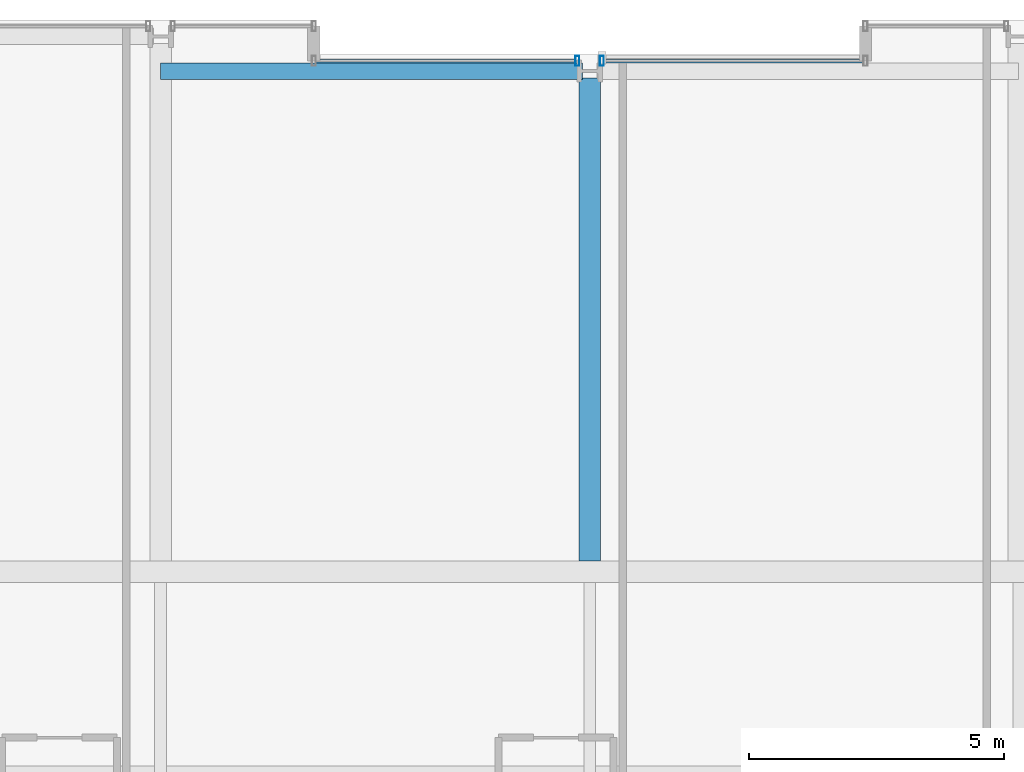
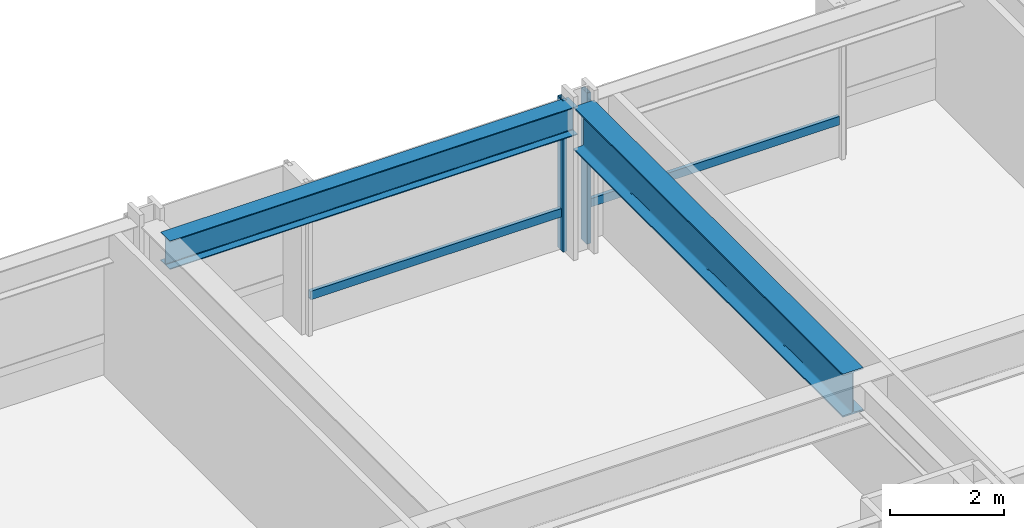
# One storey, part 23 of 37: 4 members, 2 beams, 2 elements without a shape of their own.
"""IFC4 building model written with IfcOpenShell, lengths in metres."""

from ifc_helpers import new_model, si_unit, direction, frame, origin, origin_2d, place, context, subcontext, project, spatial, hollow_rectangle, i_section, extrude, material, layer, layer_set, material_profile, profile_set, type_object, element, aggregate, save


model = new_model("IFC4")

# Units and contexts
model_context = context("Model", 3, precision=1e-05, world=origin(), true_north=direction((0.0, 1.0)))
body_context = subcontext(model_context, "Body", "Model", "MODEL_VIEW")
ifc_project = project(units=[si_unit("LENGTHUNIT", "METRE"), si_unit("AREAUNIT", "SQUARE_METRE"), si_unit("VOLUMEUNIT", "CUBIC_METRE"), si_unit("PLANEANGLEUNIT", "RADIAN"), si_unit("MASSUNIT", "GRAM", prefix="KILO")], contexts=[model_context])

# Site, building, storey
site_placement = place(None, origin())
site = spatial("IfcSite", under=ifc_project, at=site_placement, CompositionType="ELEMENT")
building_placement = place(site_placement, origin())
building = spatial("IfcBuilding", under=site, at=building_placement, Name="Drelvath Grand Hotel", CompositionType="ELEMENT")
storey_placement = place(building_placement, frame((0.0, 0.0, 43.699951171875)))
storey = spatial("IfcBuildingStorey", under=building, at=storey_placement, Name="L09", CompositionType="ELEMENT", Elevation=43.699951171875)

# Curtain wall, member
ifc_material_1 = material(Name="Warm Bronze Anodised Aluminium Frame", Category="aluminium")
ifc_layer = layer(ifc_material_1, 0.199951171875)
ifc_layer_set = layer_set([ifc_layer], Name="Warm Bronze Anodised Aluminium Frame")
curtain_wall_type = type_object("IfcCurtainWallType", Name="Stick Curtain Wall CW-02 Warm Bronze Low-Rise", PredefinedType="NOTDEFINED", material=ifc_layer_set)
curtain_wall_1_placement = place(storey_placement, origin())
curtain_wall_1 = element("IfcCurtainWall", 1, at=curtain_wall_1_placement, inside=storey, type_object=curtain_wall_type, Name="L09 CW-02 Curtain Wall CW02-L09-NM1", PredefinedType="NOTDEFINED")
ifc_material_profile_1 = material_profile(ifc_material_1, hollow_rectangle(XDim=0.074951171875, YDim=0.179931640625, WallThickness=0.0048828125, at=origin_2d()), Name="HSS180X75X5")
ifc_profile_set_1 = profile_set([ifc_material_profile_1], Name="Warm Bronze Anodised Aluminium Frame")
member_type_1 = type_object("IfcMemberType", Name="Curtain Wall Horizontal Transom CW-02 HSS180X75X5", PredefinedType="USERDEFINED", material=ifc_profile_set_1)
member_1_placement = place(storey_placement, frame((-5.360107421875, 53.199951171875, 0.81005859375), z_axis=(1.0, 0.0, 0.0), x_axis=(0.0, 1.0, 0.0)))
member_1 = element("IfcMember", 2, at=member_1_placement, type_object=member_type_1, Name="CW02-L09-NM1 Sill Transom", ObjectType="TRANSOM", PredefinedType="USERDEFINED", context=body_context, shape_type="SweptSolid", body=[
    extrude(hollow_rectangle(XDim=0.074951171875, YDim=0.179931640625, WallThickness=0.0048828125, at=origin_2d()), origin(), (0.0, 0.0, 1.0), 5.0791015625),
])

curtain_wall_2_placement = place(storey_placement, origin())
curtain_wall_2 = element("IfcCurtainWall", 3, at=curtain_wall_2_placement, inside=storey, type_object=curtain_wall_type, Name="L09 CW-02 Curtain Wall CW02-L09-NM2", PredefinedType="NOTDEFINED")
member_2_placement = place(storey_placement, frame((0.281005859375, 53.199951171875, 0.81005859375), z_axis=(1.0, 0.0, 0.0), x_axis=(0.0, 1.0, 0.0)))
member_2 = element("IfcMember", 4, at=member_2_placement, type_object=member_type_1, Name="CW02-L09-NM2 Sill Transom", ObjectType="TRANSOM", PredefinedType="USERDEFINED", context=body_context, shape_type="SweptSolid", body=[
    extrude(hollow_rectangle(XDim=0.074951171875, YDim=0.179931640625, WallThickness=0.0048828125, at=origin_2d()), origin(), (0.0, 0.0, 1.0), 5.0791015625),
])

# Member
ifc_material_profile_2 = material_profile(ifc_material_1, hollow_rectangle(XDim=0.080078125, YDim=0.199951171875, WallThickness=0.0048828125, at=origin_2d()), Name="HSS200X80X5")
ifc_profile_set_2 = profile_set([ifc_material_profile_2], Name="Warm Bronze Anodised Aluminium Frame")
member_type_2 = type_object("IfcMemberType", Name="Curtain Wall Vertical Mullion CW-02 HSS200X80X5", PredefinedType="MULLION", material=ifc_profile_set_2)
member_3_placement = place(storey_placement, frame((-0.240966796875, 53.199951171875, 0.0), z_axis=(0.0, 0.0, 1.0), x_axis=(1.0, 0.0, 0.0)))
member_3 = element("IfcMember", 5, at=member_3_placement, type_object=member_type_2, Name="CW02-L09-NM1 Mullion 2", PredefinedType="MULLION", context=body_context, shape_type="SweptSolid", body=[
    extrude(hollow_rectangle(XDim=0.080078125, YDim=0.199951171875, WallThickness=0.0048828125, at=origin_2d()), origin(), (0.0, 0.0, 1.0), 3.239990234375),
])

aggregate(curtain_wall_1, [member_3, member_1])

member_4_placement = place(storey_placement, frame((0.240966796875, 53.199951171875, 0.0), z_axis=(0.0, 0.0, 1.0), x_axis=(1.0, 0.0, 0.0)))
member_4 = element("IfcMember", 6, at=member_4_placement, type_object=member_type_2, Name="CW02-L09-NM2 Mullion 1", PredefinedType="MULLION", context=body_context, shape_type="SweptSolid", body=[
    extrude(hollow_rectangle(XDim=0.080078125, YDim=0.199951171875, WallThickness=0.0048828125, at=origin_2d()), origin(), (0.0, 0.0, 1.0), 3.239990234375),
])

aggregate(curtain_wall_2, [member_4, member_2])

# Beams
ifc_material_2 = material(Name="Steel ASTM A992 Gr 50", Category="steel")
ifc_material_profile_3 = material_profile(ifc_material_2, i_section(OverallWidth=0.323974609375, OverallDepth=0.611083984375, WebThickness=0.0126953125, FlangeThickness=0.01904296875, FilletRadius=0.02197265625, at=origin_2d()), Name="W24X104")
ifc_profile_set_3 = profile_set([ifc_material_profile_3], Name="Steel ASTM A992 Gr 50")
beam_type_1 = type_object("IfcBeamType", Name="Perimeter Spandrel Beam W24X104", PredefinedType="SPANDREL", material=ifc_profile_set_3)
beam_1_placement = place(storey_placement, frame((-8.39990234375, 53.0, 2.9345703125), z_axis=(1.0, 0.0, 0.0), x_axis=(0.0, 1.0, 0.0)))
element("IfcBeam", 7, at=beam_1_placement, inside=storey, type_object=beam_type_1, Name="L09 Spandrel North Mid W", PredefinedType="SPANDREL", context=body_context, shape_type="SweptSolid", body=[
    extrude(i_section(OverallWidth=0.323974609375, OverallDepth=0.611083984375, WebThickness=0.0126953125, FlangeThickness=0.01904296875, FilletRadius=0.02197265625, at=origin_2d()), origin(), (0.0, 0.0, 1.0), 8.260009765625),
])
ifc_material_profile_4 = material_profile(ifc_material_2, i_section(OverallWidth=0.418212890625, OverallDepth=0.926513671875, WebThickness=0.019287109375, FlangeThickness=0.031982421875, FilletRadius=0.028076171875, at=origin_2d()), Name="W36X231")
ifc_profile_set_4 = profile_set([ifc_material_profile_4], Name="Steel ASTM A992 Gr 50")
beam_type_2 = type_object("IfcBeamType", Name="Primary Floor Girder W36X231", PredefinedType="BEAM", material=ifc_profile_set_4)
beam_2_placement = place(storey_placement, frame((0.0, 43.4091796875, 2.77685546875), z_axis=(0.0, 1.0, 0.0), x_axis=(-1.0, 0.0, 0.0)))
element("IfcBeam", 8, at=beam_2_placement, inside=storey, type_object=beam_type_2, Name="L09 North Wing Girder 5", PredefinedType="BEAM", context=body_context, shape_type="SweptSolid", body=[
    extrude(i_section(OverallWidth=0.418212890625, OverallDepth=0.926513671875, WebThickness=0.019287109375, FlangeThickness=0.031982421875, FilletRadius=0.028076171875, at=origin_2d()), origin(), (0.0, 0.0, 1.0), 9.450927734375),
])

save(model, "model.ifc")
